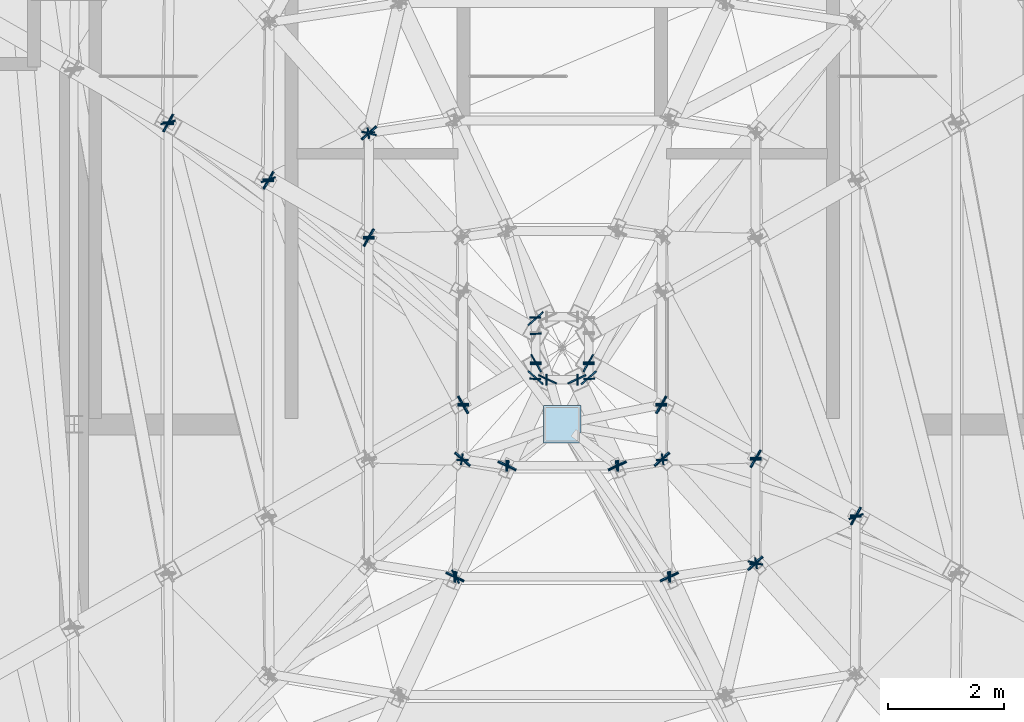
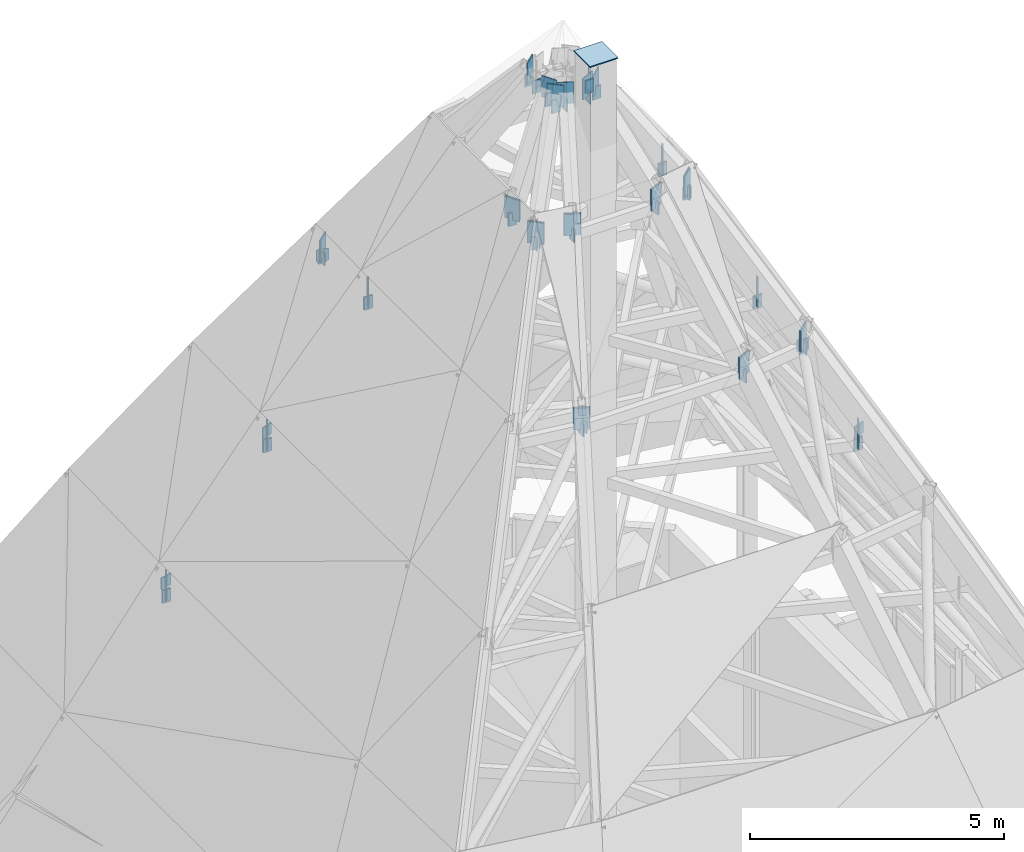
# One storey, part 21 of 30: 84 plates.
"""IFC4 building model written with IfcOpenShell, lengths in metres."""

from ifc_helpers import new_model, si_unit, direction, frame, origin, origin_2d, place, context, subcontext, project, spatial, rectangle, extrude, material, layer, layer_set, type_object, element, save


model = new_model("IFC4")

# Units and contexts
model_context = context("Model", 3, precision=1e-05, world=origin(), true_north=direction((0.0, 1.0)))
body_context = subcontext(model_context, "Body", "Model", "MODEL_VIEW")
ifc_project = project(units=[si_unit("LENGTHUNIT", "METRE"), si_unit("AREAUNIT", "SQUARE_METRE"), si_unit("VOLUMEUNIT", "CUBIC_METRE"), si_unit("PLANEANGLEUNIT", "RADIAN"), si_unit("MASSUNIT", "GRAM", prefix="KILO")], contexts=[model_context])

# Site, building, storey
site_placement = place(None, origin())
site = spatial("IfcSite", under=ifc_project, at=site_placement, CompositionType="ELEMENT")
building_placement = place(site_placement, origin())
building = spatial("IfcBuilding", under=site, at=building_placement, Name="Haolan Belvedere Tower", CompositionType="ELEMENT")
storey_placement = place(building_placement, frame((0.0, 0.0, 333.0)))
storey = spatial("IfcBuildingStorey", under=building, at=storey_placement, Name="L83", CompositionType="ELEMENT", Elevation=333.0)

# Plates
ifc_material = material(Name="Steel Q355B", Category="steel")
ifc_layer = layer(ifc_material, 0.02490234375, Name="Steel Q355B")
ifc_layer_set = layer_set([ifc_layer], Name="Steel Q355B")
plate_type = type_object("IfcPlateType", Name="PL-CAP-25", PredefinedType="SHEET", material=ifc_layer_set)
plate_1_placement = place(storey_placement, frame((38.39990234375, 35.2900390625, 24.949951171875), z_axis=(0.0, 0.0, 1.0), x_axis=(1.0, 0.0, 0.0)))
element("IfcPlate", 1, at=plate_1_placement, inside=storey, type_object=plate_type, Name="Hollow steel end-cap plate COL-CRN-MAST-TCAP", PredefinedType="SHEET", context=body_context, shape_type="SweptSolid", body=[
    extrude(rectangle(XDim=0.639892578125, YDim=0.639892578125, at=origin_2d()), origin(), (0.0, 0.0, 1.0), 0.02490234375),
])
plate_2_placement = place(storey_placement, frame((31.619384765625, 40.4619140625, 11.035400390625), z_axis=(0.0, 0.0, 1.0), x_axis=(0.999939932483, -0.010960448242, 0.0)))
element("IfcPlate", 2, at=plate_2_placement, inside=storey, type_object=plate_type, Name="Hollow steel end-cap plate CRN-RING-T2-10-CAP1", PredefinedType="SHEET", context=body_context, shape_type="SweptSolid", body=[
    extrude(rectangle(XDim=0.18994140625, YDim=0.02490234375, at=origin_2d()), origin(), (0.0, 0.0, 1.0), 0.31005859375),
])
plate_3_placement = place(storey_placement, frame((31.62451171875, 40.4716796875, 11.1865234375), z_axis=(0.0, 0.0, 1.0), x_axis=(0.496140737146, 0.868242114242, 0.0)))
element("IfcPlate", 3, at=plate_3_placement, inside=storey, type_object=plate_type, Name="Hollow steel end-cap plate CRN-RAF-T2-11-CAP1", PredefinedType="SHEET", context=body_context, shape_type="SweptSolid", body=[
    extrude(rectangle(XDim=0.340087890625, YDim=0.02490234375, at=origin_2d()), origin(), (0.0, 0.0, 1.0), 0.510009765625),
])
for number, where, z_axis, x_axis, name in (
    (4, (31.61962890625, 40.487060546875, 11.035400390625), (0.0, 0.0, 1.0), (-1.0, 0.0, 0.0), "Hollow steel end-cap plate CRN-RING-T2-11-CAP0"),
    (5, (43.455078125, 33.72412109375, 14.64697265625), (0.0, 0.0, 1.0), (-0.99996461524, 0.00841238777, 0.0), "Hollow steel end-cap plate CRN-RING-T3-04-CAP1"),
):
    element("IfcPlate", number, at=place(storey_placement, frame(where, z_axis=z_axis, x_axis=x_axis)), inside=storey, type_object=plate_type, Name=name, PredefinedType="SHEET", context=body_context, shape_type="SweptSolid", body=[
        extrude(rectangle(XDim=0.18994140625, YDim=0.02490234375, at=origin_2d()), origin(), (0.0, 0.0, 1.0), 0.31005859375),
    ])
plate_4_placement = place(storey_placement, frame((43.44970703125, 33.714599609375, 14.7978515625), z_axis=(0.0, 0.0, 1.0), x_axis=(-0.496140737146, -0.868242114242, 0.0)))
element("IfcPlate", 6, at=plate_4_placement, inside=storey, type_object=plate_type, Name="Hollow steel end-cap plate CRN-RAF-T3-05-CAP1", PredefinedType="SHEET", context=body_context, shape_type="SweptSolid", body=[
    extrude(rectangle(XDim=0.340087890625, YDim=0.02490234375, at=origin_2d()), origin(), (0.0, 0.0, 1.0), 0.510009765625),
])
for number, where, z_axis, x_axis, name in (
    (7, (43.454833984375, 33.698974609375, 14.64697265625), (0.0, 0.0, 1.0), (1.0, 0.0, 0.0), "Hollow steel end-cap plate CRN-RING-T3-05-CAP0"),
    (8, (33.344970703125, 39.47607421875, 14.64697265625), (0.0, 0.0, 1.0), (0.99996461524, -0.00841238777, 0.0), "Hollow steel end-cap plate CRN-RING-T3-10-CAP1"),
):
    element("IfcPlate", number, at=place(storey_placement, frame(where, z_axis=z_axis, x_axis=x_axis)), inside=storey, type_object=plate_type, Name=name, PredefinedType="SHEET", context=body_context, shape_type="SweptSolid", body=[
        extrude(rectangle(XDim=0.18994140625, YDim=0.02490234375, at=origin_2d()), origin(), (0.0, 0.0, 1.0), 0.31005859375),
    ])
for number, where, z_axis, x_axis, name in (
    (9, (31.6142578125, 40.4775390625, 11.16455078125), (0.0, 0.0, 1.0), (-0.496140737146, -0.868242114242, 0.0), "Hollow steel end-cap plate CRN-RAF-T3-11-CAP0"),
    (10, (33.350341796875, 39.485595703125, 14.7978515625), (0.0, 0.0, 1.0), (0.496140737146, 0.868242114242, 0.0), "Hollow steel end-cap plate CRN-RAF-T3-11-CAP1"),
):
    element("IfcPlate", number, at=place(storey_placement, frame(where, z_axis=z_axis, x_axis=x_axis)), inside=storey, type_object=plate_type, Name=name, PredefinedType="SHEET", context=body_context, shape_type="SweptSolid", body=[
        extrude(rectangle(XDim=0.340087890625, YDim=0.02490234375, at=origin_2d()), origin(), (0.0, 0.0, 1.0), 0.510009765625),
    ])
plate_5_placement = place(storey_placement, frame((33.34521484375, 39.5009765625, 14.64697265625), z_axis=(0.0, 0.0, 1.0), x_axis=(-1.0, 0.0, 0.0)))
element("IfcPlate", 11, at=plate_5_placement, inside=storey, type_object=plate_type, Name="Hollow steel end-cap plate CRN-RING-T3-11-CAP0", PredefinedType="SHEET", context=body_context, shape_type="SweptSolid", body=[
    extrude(rectangle(XDim=0.18994140625, YDim=0.02490234375, at=origin_2d()), origin(), (0.0, 0.0, 1.0), 0.31005859375),
])
plate_6_placement = place(storey_placement, frame((31.61669921875, 40.4853515625, 11.3857421875), z_axis=(0.0, 0.0, 1.0), x_axis=(-0.968959664166, -0.247218869058, 0.0)))
element("IfcPlate", 12, at=plate_6_placement, inside=storey, type_object=plate_type, Name="Hollow steel end-cap plate CRN-DIAG-T3-11-CAP0", PredefinedType="SHEET", context=body_context, shape_type="SweptSolid", body=[
    extrude(rectangle(XDim=0.259033203125, YDim=0.02490234375, at=origin_2d()), origin(), (0.0, 0.0, 1.0), 0.279052734375),
])
plate_7_placement = place(storey_placement, frame((36.56787109375, 32.661865234375, 18.06884765625), z_axis=(0.0, 0.0, 1.0), x_axis=(0.155244901357, 0.987876014793, 0.0)))
element("IfcPlate", 13, at=plate_7_placement, inside=storey, type_object=plate_type, Name="Hollow steel end-cap plate CRN-RING-T4-01-CAP1", PredefinedType="SHEET", context=body_context, shape_type="SweptSolid", body=[
    extrude(rectangle(XDim=0.18994140625, YDim=0.02490234375, at=origin_2d()), origin(), (0.0, 0.0, 1.0), 0.31005859375),
])
plate_8_placement = place(storey_placement, frame((36.563720703125, 32.668212890625, 18.13232421875), z_axis=(0.0, 0.0, 1.0), x_axis=(-0.464440218995, 0.885604473216, 0.0)))
element("IfcPlate", 14, at=plate_8_placement, inside=storey, type_object=plate_type, Name="Hollow steel end-cap plate CRN-DIAG-T4-01-CAP1", PredefinedType="SHEET", context=body_context, shape_type="SweptSolid", body=[
    extrude(rectangle(XDim=0.259033203125, YDim=0.02490234375, at=origin_2d()), origin(), (0.0, 0.0, 1.0), 0.279052734375),
])
plate_9_placement = place(storey_placement, frame((36.558349609375, 32.669921875, 18.21923828125), z_axis=(0.0, 0.0, 1.0), x_axis=(-0.90550215475, 0.424341663926, 0.0)))
element("IfcPlate", 15, at=plate_9_placement, inside=storey, type_object=plate_type, Name="Hollow steel end-cap plate CRN-RAF-T4-02-CAP1", PredefinedType="SHEET", context=body_context, shape_type="SweptSolid", body=[
    extrude(rectangle(XDim=0.340087890625, YDim=0.02490234375, at=origin_2d()), origin(), (0.0, 0.0, 1.0), 0.510009765625),
])
for number, where, z_axis, x_axis, name in (
    (16, (36.54296875, 32.663818359375, 18.06884765625), (0.0, 0.0, 1.0), (0.0, -1.0, 0.0), "Hollow steel end-cap plate CRN-RING-T4-02-CAP0"),
    (17, (40.257080078125, 32.663818359375, 18.06884765625), (0.0, 0.0, 1.0), (0.0, 1.0, 0.0), "Hollow steel end-cap plate CRN-RING-T4-02-CAP1"),
):
    element("IfcPlate", number, at=place(storey_placement, frame(where, z_axis=z_axis, x_axis=x_axis)), inside=storey, type_object=plate_type, Name=name, PredefinedType="SHEET", context=body_context, shape_type="SweptSolid", body=[
        extrude(rectangle(XDim=0.18994140625, YDim=0.02490234375, at=origin_2d()), origin(), (0.0, 0.0, 1.0), 0.31005859375),
    ])
plate_10_placement = place(storey_placement, frame((40.24169921875, 32.669921875, 18.21923828125), z_axis=(0.0, 0.0, 1.0), x_axis=(-0.90550215475, -0.424341663926, 0.0)))
element("IfcPlate", 18, at=plate_10_placement, inside=storey, type_object=plate_type, Name="Hollow steel end-cap plate CRN-RAF-T4-03-CAP1", PredefinedType="SHEET", context=body_context, shape_type="SweptSolid", body=[
    extrude(rectangle(XDim=0.340087890625, YDim=0.02490234375, at=origin_2d()), origin(), (0.0, 0.0, 1.0), 0.510009765625),
])
for number, where, z_axis, x_axis, name in (
    (19, (40.232177734375, 32.661865234375, 18.06884765625), (0.0, 0.0, 1.0), (0.155244901357, -0.987876014793, 0.0), "Hollow steel end-cap plate CRN-RING-T4-03-CAP0"),
    (20, (41.73583984375, 32.898193359375, 18.06884765625), (0.0, 0.0, 1.0), (-0.155244901357, 0.987876014793, 0.0), "Hollow steel end-cap plate CRN-RING-T4-03-CAP1"),
):
    element("IfcPlate", number, at=place(storey_placement, frame(where, z_axis=z_axis, x_axis=x_axis)), inside=storey, type_object=plate_type, Name=name, PredefinedType="SHEET", context=body_context, shape_type="SweptSolid", body=[
        extrude(rectangle(XDim=0.18994140625, YDim=0.02490234375, at=origin_2d()), origin(), (0.0, 0.0, 1.0), 0.31005859375),
    ])
plate_11_placement = place(storey_placement, frame((41.72509765625, 32.903564453125, 18.13427734375), z_axis=(0.0, 0.0, 1.0), x_axis=(-0.973968055063, 0.226685305474, 0.0)))
element("IfcPlate", 21, at=plate_11_placement, inside=storey, type_object=plate_type, Name="Hollow steel end-cap plate CRN-DIAG-T4-03-CAP1", PredefinedType="SHEET", context=body_context, shape_type="SweptSolid", body=[
    extrude(rectangle(XDim=0.259033203125, YDim=0.02490234375, at=origin_2d()), origin(), (0.0, 0.0, 1.0), 0.279052734375),
])
plate_12_placement = place(storey_placement, frame((41.718505859375, 32.90185546875, 18.21875), z_axis=(0.0, 0.0, 1.0), x_axis=(-0.744288234024, -0.667858536438, 0.0)))
element("IfcPlate", 22, at=plate_12_placement, inside=storey, type_object=plate_type, Name="Hollow steel end-cap plate CRN-RAF-T4-04-CAP1", PredefinedType="SHEET", context=body_context, shape_type="SweptSolid", body=[
    extrude(rectangle(XDim=0.340087890625, YDim=0.02490234375, at=origin_2d()), origin(), (0.0, 0.0, 1.0), 0.510009765625),
])
for number, where, z_axis, x_axis, name in (
    (23, (41.723388671875, 32.8837890625, 18.06884765625), (0.0, 0.0, 1.0), (0.999994616806, -0.003281213106, 0.0), "Hollow steel end-cap plate CRN-RING-T4-04-CAP0"),
    (24, (41.7294921875, 34.7099609375, 18.06884765625), (0.0, 0.0, 1.0), (-0.999994616806, 0.003281213106, 0.0), "Hollow steel end-cap plate CRN-RING-T4-04-CAP1"),
):
    element("IfcPlate", number, at=place(storey_placement, frame(where, z_axis=z_axis, x_axis=x_axis)), inside=storey, type_object=plate_type, Name=name, PredefinedType="SHEET", context=body_context, shape_type="SweptSolid", body=[
        extrude(rectangle(XDim=0.18994140625, YDim=0.02490234375, at=origin_2d()), origin(), (0.0, 0.0, 1.0), 0.31005859375),
    ])
for number, where, z_axis, x_axis, name in (
    (25, (43.46044921875, 33.70849609375, 14.7763671875), (0.0, 0.0, 1.0), (0.496140737146, 0.868242114242, 0.0), "Hollow steel end-cap plate CRN-RAF-T4-05-CAP0"),
    (26, (41.723876953125, 34.70068359375, 18.2197265625), (0.0, 0.0, 1.0), (-0.496140737146, -0.868242114242, 0.0), "Hollow steel end-cap plate CRN-RAF-T4-05-CAP1"),
):
    element("IfcPlate", number, at=place(storey_placement, frame(where, z_axis=z_axis, x_axis=x_axis)), inside=storey, type_object=plate_type, Name=name, PredefinedType="SHEET", context=body_context, shape_type="SweptSolid", body=[
        extrude(rectangle(XDim=0.340087890625, YDim=0.02490234375, at=origin_2d()), origin(), (0.0, 0.0, 1.0), 0.510009765625),
    ])
plate_13_placement = place(storey_placement, frame((41.7294921875, 34.68505859375, 18.06884765625), z_axis=(0.0, 0.0, 1.0), x_axis=(1.0, 0.0, 0.0)))
element("IfcPlate", 27, at=plate_13_placement, inside=storey, type_object=plate_type, Name="Hollow steel end-cap plate CRN-RING-T4-05-CAP0", PredefinedType="SHEET", context=body_context, shape_type="SweptSolid", body=[
    extrude(rectangle(XDim=0.18994140625, YDim=0.02490234375, at=origin_2d()), origin(), (0.0, 0.0, 1.0), 0.31005859375),
])
plate_14_placement = place(storey_placement, frame((43.45849609375, 33.701416015625, 14.99609375), z_axis=(0.0, 0.0, 1.0), x_axis=(0.940839377288, 0.338852867988, 0.0)))
element("IfcPlate", 28, at=plate_14_placement, inside=storey, type_object=plate_type, Name="Hollow steel end-cap plate CRN-DIAG-T4-05-CAP0", PredefinedType="SHEET", context=body_context, shape_type="SweptSolid", body=[
    extrude(rectangle(XDim=0.259033203125, YDim=0.02490234375, at=origin_2d()), origin(), (0.0, 0.0, 1.0), 0.279052734375),
])
plate_15_placement = place(storey_placement, frame((35.064208984375, 40.302001953125, 18.06884765625), z_axis=(0.0, 0.0, 1.0), x_axis=(0.144166223028, -0.989553485234, 0.0)))
element("IfcPlate", 29, at=plate_15_placement, inside=storey, type_object=plate_type, Name="Hollow steel end-cap plate CRN-RING-T4-09-CAP1", PredefinedType="SHEET", context=body_context, shape_type="SweptSolid", body=[
    extrude(rectangle(XDim=0.18994140625, YDim=0.02490234375, at=origin_2d()), origin(), (0.0, 0.0, 1.0), 0.31005859375),
])
plate_16_placement = place(storey_placement, frame((35.07470703125, 40.296630859375, 18.13427734375), z_axis=(0.0, 0.0, 1.0), x_axis=(0.97337925846, -0.229200390922, 0.0)))
element("IfcPlate", 30, at=plate_16_placement, inside=storey, type_object=plate_type, Name="Hollow steel end-cap plate CRN-DIAG-T4-09-CAP1", PredefinedType="SHEET", context=body_context, shape_type="SweptSolid", body=[
    extrude(rectangle(XDim=0.259033203125, YDim=0.02490234375, at=origin_2d()), origin(), (0.0, 0.0, 1.0), 0.279052734375),
])
plate_17_placement = place(storey_placement, frame((35.08154296875, 40.29833984375, 18.21875), z_axis=(0.0, 0.0, 1.0), x_axis=(0.744288234024, 0.667858536438, 0.0)))
element("IfcPlate", 31, at=plate_17_placement, inside=storey, type_object=plate_type, Name="Hollow steel end-cap plate CRN-RAF-T4-10-CAP1", PredefinedType="SHEET", context=body_context, shape_type="SweptSolid", body=[
    extrude(rectangle(XDim=0.340087890625, YDim=0.02490234375, at=origin_2d()), origin(), (0.0, 0.0, 1.0), 0.510009765625),
])
for number, where, z_axis, x_axis, name in (
    (32, (35.07666015625, 40.31640625, 18.06884765625), (0.0, 0.0, 1.0), (-0.999994616806, 0.003281213106, 0.0), "Hollow steel end-cap plate CRN-RING-T4-10-CAP0"),
    (33, (35.070556640625, 38.489990234375, 18.06884765625), (0.0, 0.0, 1.0), (0.999994616806, -0.003281213106, 0.0), "Hollow steel end-cap plate CRN-RING-T4-10-CAP1"),
):
    element("IfcPlate", number, at=place(storey_placement, frame(where, z_axis=z_axis, x_axis=x_axis)), inside=storey, type_object=plate_type, Name=name, PredefinedType="SHEET", context=body_context, shape_type="SweptSolid", body=[
        extrude(rectangle(XDim=0.18994140625, YDim=0.02490234375, at=origin_2d()), origin(), (0.0, 0.0, 1.0), 0.31005859375),
    ])
for number, where, z_axis, x_axis, name in (
    (34, (33.339599609375, 39.49169921875, 14.7763671875), (0.0, 0.0, 1.0), (-0.496140737146, -0.868242114242, 0.0), "Hollow steel end-cap plate CRN-RAF-T4-11-CAP0"),
    (35, (35.076171875, 38.49951171875, 18.2197265625), (0.0, 0.0, 1.0), (0.496140737146, 0.868242114242, 0.0), "Hollow steel end-cap plate CRN-RAF-T4-11-CAP1"),
):
    element("IfcPlate", number, at=place(storey_placement, frame(where, z_axis=z_axis, x_axis=x_axis)), inside=storey, type_object=plate_type, Name=name, PredefinedType="SHEET", context=body_context, shape_type="SweptSolid", body=[
        extrude(rectangle(XDim=0.340087890625, YDim=0.02490234375, at=origin_2d()), origin(), (0.0, 0.0, 1.0), 0.510009765625),
    ])
plate_18_placement = place(storey_placement, frame((35.070556640625, 38.514892578125, 18.06884765625), z_axis=(0.0, 0.0, 1.0), x_axis=(-1.0, 0.0, 0.0)))
element("IfcPlate", 36, at=plate_18_placement, inside=storey, type_object=plate_type, Name="Hollow steel end-cap plate CRN-RING-T4-11-CAP0", PredefinedType="SHEET", context=body_context, shape_type="SweptSolid", body=[
    extrude(rectangle(XDim=0.18994140625, YDim=0.02490234375, at=origin_2d()), origin(), (0.0, 0.0, 1.0), 0.31005859375),
])
plate_19_placement = place(storey_placement, frame((33.341552734375, 39.49853515625, 14.99609375), z_axis=(0.0, 0.0, 1.0), x_axis=(-0.940839377288, -0.338852867988, 0.0)))
element("IfcPlate", 37, at=plate_19_placement, inside=storey, type_object=plate_type, Name="Hollow steel end-cap plate CRN-DIAG-T4-11-CAP0", PredefinedType="SHEET", context=body_context, shape_type="SweptSolid", body=[
    extrude(rectangle(XDim=0.259033203125, YDim=0.02490234375, at=origin_2d()), origin(), (0.0, 0.0, 1.0), 0.279052734375),
])
plate_20_placement = place(storey_placement, frame((36.689453125, 34.69384765625, 21.4130859375), z_axis=(0.0, 0.0, 1.0), x_axis=(-0.744288234024, 0.667858536438, 0.0)))
element("IfcPlate", 38, at=plate_20_placement, inside=storey, type_object=plate_type, Name="Hollow steel end-cap plate CRN-RAF-T5-01-CAP1", PredefinedType="SHEET", context=body_context, shape_type="SweptSolid", body=[
    extrude(rectangle(XDim=0.340087890625, YDim=0.02490234375, at=origin_2d()), origin(), (0.0, 0.0, 1.0), 0.510009765625),
])
for number, where, z_axis, x_axis, name in (
    (39, (36.672119140625, 34.68994140625, 21.262939453125), (0.0, 0.0, 1.0), (-0.14501244756, -0.989429830788, 0.0), "Hollow steel end-cap plate CRN-RING-T5-01-CAP0"),
    (40, (37.4638671875, 34.573974609375, 21.262939453125), (0.0, 0.0, 1.0), (0.14501244756, 0.989429830788, 0.0), "Hollow steel end-cap plate CRN-RING-T5-01-CAP1"),
):
    element("IfcPlate", number, at=place(storey_placement, frame(where, z_axis=z_axis, x_axis=x_axis)), inside=storey, type_object=plate_type, Name=name, PredefinedType="SHEET", context=body_context, shape_type="SweptSolid", body=[
        extrude(rectangle(XDim=0.18994140625, YDim=0.02490234375, at=origin_2d()), origin(), (0.0, 0.0, 1.0), 0.31005859375),
    ])
for number, where, z_axis, x_axis, name in (
    (41, (36.552490234375, 32.657470703125, 18.1982421875), (0.0, 0.0, 1.0), (0.90550215475, -0.424341663926, 0.0), "Hollow steel end-cap plate CRN-RAF-T5-02-CAP0"),
    (42, (37.454345703125, 34.58203125, 21.41357421875), (0.0, 0.0, 1.0), (-0.90550215475, 0.424341663926, 0.0), "Hollow steel end-cap plate CRN-RAF-T5-02-CAP1"),
):
    element("IfcPlate", number, at=place(storey_placement, frame(where, z_axis=z_axis, x_axis=x_axis)), inside=storey, type_object=plate_type, Name=name, PredefinedType="SHEET", context=body_context, shape_type="SweptSolid", body=[
        extrude(rectangle(XDim=0.340087890625, YDim=0.02490234375, at=origin_2d()), origin(), (0.0, 0.0, 1.0), 0.510009765625),
    ])
for number, where, z_axis, x_axis, name in (
    (43, (37.43896484375, 34.57568359375, 21.262939453125), (0.0, 0.0, 1.0), (0.0, -1.0, 0.0), "Hollow steel end-cap plate CRN-RING-T5-02-CAP0"),
    (44, (39.361083984375, 34.57568359375, 21.262939453125), (0.0, 0.0, 1.0), (0.0, 1.0, 0.0), "Hollow steel end-cap plate CRN-RING-T5-02-CAP1"),
):
    element("IfcPlate", number, at=place(storey_placement, frame(where, z_axis=z_axis, x_axis=x_axis)), inside=storey, type_object=plate_type, Name=name, PredefinedType="SHEET", context=body_context, shape_type="SweptSolid", body=[
        extrude(rectangle(XDim=0.18994140625, YDim=0.02490234375, at=origin_2d()), origin(), (0.0, 0.0, 1.0), 0.31005859375),
    ])
for number, where, z_axis, x_axis, name in (
    (45, (40.24755859375, 32.657470703125, 18.1982421875), (0.0, 0.0, 1.0), (0.90550215475, 0.424341663926, 0.0), "Hollow steel end-cap plate CRN-RAF-T5-03-CAP0"),
    (46, (39.345703125, 34.58203125, 21.41357421875), (0.0, 0.0, 1.0), (-0.90550215475, -0.424341663926, 0.0), "Hollow steel end-cap plate CRN-RAF-T5-03-CAP1"),
):
    element("IfcPlate", number, at=place(storey_placement, frame(where, z_axis=z_axis, x_axis=x_axis)), inside=storey, type_object=plate_type, Name=name, PredefinedType="SHEET", context=body_context, shape_type="SweptSolid", body=[
        extrude(rectangle(XDim=0.340087890625, YDim=0.02490234375, at=origin_2d()), origin(), (0.0, 0.0, 1.0), 0.510009765625),
    ])
for number, where, z_axis, x_axis, name in (
    (47, (39.336181640625, 34.573974609375, 21.262939453125), (0.0, 0.0, 1.0), (0.14501244756, -0.989429830788, 0.0), "Hollow steel end-cap plate CRN-RING-T5-03-CAP0"),
    (48, (40.1279296875, 34.68994140625, 21.262939453125), (0.0, 0.0, 1.0), (-0.14501244756, 0.989429830788, 0.0), "Hollow steel end-cap plate CRN-RING-T5-03-CAP1"),
):
    element("IfcPlate", number, at=place(storey_placement, frame(where, z_axis=z_axis, x_axis=x_axis)), inside=storey, type_object=plate_type, Name=name, PredefinedType="SHEET", context=body_context, shape_type="SweptSolid", body=[
        extrude(rectangle(XDim=0.18994140625, YDim=0.02490234375, at=origin_2d()), origin(), (0.0, 0.0, 1.0), 0.31005859375),
    ])
for number, where, z_axis, x_axis, name in (
    (49, (41.728515625, 32.890625, 18.19873046875), (0.0, 0.0, 1.0), (0.744288234024, 0.667858536438, 0.0), "Hollow steel end-cap plate CRN-RAF-T5-04-CAP0"),
    (50, (40.1103515625, 34.69384765625, 21.4130859375), (0.0, 0.0, 1.0), (-0.744288234024, -0.667858536438, 0.0), "Hollow steel end-cap plate CRN-RAF-T5-04-CAP1"),
):
    element("IfcPlate", number, at=place(storey_placement, frame(where, z_axis=z_axis, x_axis=x_axis)), inside=storey, type_object=plate_type, Name=name, PredefinedType="SHEET", context=body_context, shape_type="SweptSolid", body=[
        extrude(rectangle(XDim=0.340087890625, YDim=0.02490234375, at=origin_2d()), origin(), (0.0, 0.0, 1.0), 0.510009765625),
    ])
for number, where, z_axis, x_axis, name in (
    (51, (40.11572265625, 34.67578125, 21.262939453125), (0.0, 0.0, 1.0), (0.99994201831, 0.010768473355, 0.0), "Hollow steel end-cap plate CRN-RING-T5-04-CAP0"),
    (52, (40.105224609375, 35.637939453125, 21.262939453125), (0.0, 0.0, 1.0), (-0.99994201831, -0.010768473355, 0.0), "Hollow steel end-cap plate CRN-RING-T5-04-CAP1"),
):
    element("IfcPlate", number, at=place(storey_placement, frame(where, z_axis=z_axis, x_axis=x_axis)), inside=storey, type_object=plate_type, Name=name, PredefinedType="SHEET", context=body_context, shape_type="SweptSolid", body=[
        extrude(rectangle(XDim=0.18994140625, YDim=0.02490234375, at=origin_2d()), origin(), (0.0, 0.0, 1.0), 0.31005859375),
    ])
for number, where, z_axis, x_axis, name in (
    (53, (41.73486328125, 34.6943359375, 18.1982421875), (0.0, 0.0, 1.0), (0.496140737146, 0.868242114242, 0.0), "Hollow steel end-cap plate CRN-RAF-T5-05-CAP0"),
    (54, (40.099853515625, 35.628662109375, 21.41357421875), (0.0, 0.0, 1.0), (-0.496140737146, -0.868242114242, 0.0), "Hollow steel end-cap plate CRN-RAF-T5-05-CAP1"),
):
    element("IfcPlate", number, at=place(storey_placement, frame(where, z_axis=z_axis, x_axis=x_axis)), inside=storey, type_object=plate_type, Name=name, PredefinedType="SHEET", context=body_context, shape_type="SweptSolid", body=[
        extrude(rectangle(XDim=0.340087890625, YDim=0.02490234375, at=origin_2d()), origin(), (0.0, 0.0, 1.0), 0.510009765625),
    ])
plate_21_placement = place(storey_placement, frame((40.10546875, 35.613037109375, 21.262939453125), z_axis=(0.0, 0.0, 1.0), x_axis=(1.0, 0.0, 0.0)))
element("IfcPlate", 55, at=plate_21_placement, inside=storey, type_object=plate_type, Name="Hollow steel end-cap plate CRN-RING-T5-05-CAP0", PredefinedType="SHEET", context=body_context, shape_type="SweptSolid", body=[
    extrude(rectangle(XDim=0.18994140625, YDim=0.02490234375, at=origin_2d()), origin(), (0.0, 0.0, 1.0), 0.31005859375),
])
for number, where, z_axis, x_axis, name in (
    (56, (35.071533203125, 40.309326171875, 18.19873046875), (0.0, 0.0, 1.0), (-0.744288234024, -0.667858536438, 0.0), "Hollow steel end-cap plate CRN-RAF-T5-10-CAP0"),
    (57, (35.065185546875, 38.505615234375, 18.1982421875), (0.0, 0.0, 1.0), (-0.496140737146, -0.868242114242, 0.0), "Hollow steel end-cap plate CRN-RAF-T5-11-CAP0"),
):
    element("IfcPlate", number, at=place(storey_placement, frame(where, z_axis=z_axis, x_axis=x_axis)), inside=storey, type_object=plate_type, Name=name, PredefinedType="SHEET", context=body_context, shape_type="SweptSolid", body=[
        extrude(rectangle(XDim=0.340087890625, YDim=0.02490234375, at=origin_2d()), origin(), (0.0, 0.0, 1.0), 0.510009765625),
    ])
plate_22_placement = place(storey_placement, frame((36.694580078125, 35.613037109375, 21.262939453125), z_axis=(0.0, 0.0, 1.0), x_axis=(1.0, 0.0, 0.0)))
element("IfcPlate", 58, at=plate_22_placement, inside=storey, type_object=plate_type, Name="Hollow steel end-cap plate CRN-RING-T5-11-CAP1", PredefinedType="SHEET", context=body_context, shape_type="SweptSolid", body=[
    extrude(rectangle(XDim=0.18994140625, YDim=0.02490234375, at=origin_2d()), origin(), (0.0, 0.0, 1.0), 0.31005859375),
])
plate_23_placement = place(storey_placement, frame((36.7001953125, 35.628662109375, 21.41357421875), z_axis=(0.0, 0.0, 1.0), x_axis=(-0.496140737146, 0.868242114242, 0.0)))
element("IfcPlate", 59, at=plate_23_placement, inside=storey, type_object=plate_type, Name="Hollow steel end-cap plate CRN-RAF-T5-12-CAP1", PredefinedType="SHEET", context=body_context, shape_type="SweptSolid", body=[
    extrude(rectangle(XDim=0.340087890625, YDim=0.02490234375, at=origin_2d()), origin(), (0.0, 0.0, 1.0), 0.510009765625),
])
for number, where, z_axis, x_axis, name in (
    (60, (36.69482421875, 35.637939453125, 21.262939453125), (0.0, 0.0, 1.0), (-0.99994201831, 0.010768473355, 0.0), "Hollow steel end-cap plate CRN-RING-T5-12-CAP0"),
    (61, (36.684326171875, 34.67578125, 21.262939453125), (0.0, 0.0, 1.0), (0.99994201831, -0.010768473355, 0.0), "Hollow steel end-cap plate CRN-RING-T5-12-CAP1"),
):
    element("IfcPlate", number, at=place(storey_placement, frame(where, z_axis=z_axis, x_axis=x_axis)), inside=storey, type_object=plate_type, Name=name, PredefinedType="SHEET", context=body_context, shape_type="SweptSolid", body=[
        extrude(rectangle(XDim=0.18994140625, YDim=0.02490234375, at=origin_2d()), origin(), (0.0, 0.0, 1.0), 0.31005859375),
    ])
for number, where, z_axis, x_axis, name in (
    (62, (36.6787109375, 34.681884765625, 21.39404296875), (0.0, 0.0, 1.0), (0.744288234024, -0.667858536438, 0.0), "Hollow steel end-cap plate CRN-RAF-T6-01-CAP0"),
    (63, (37.943359375, 36.091064453125, 23.4111328125), (0.0, 0.0, 1.0), (-0.744288234024, 0.667858536438, 0.0), "Hollow steel end-cap plate CRN-RAF-T6-01-CAP1"),
    (64, (37.447998046875, 34.568603515625, 21.3935546875), (0.0, 0.0, 1.0), (0.90548734188, -0.424373271655, 0.0), "Hollow steel end-cap plate CRN-RAF-T6-02-CAP0"),
    (65, (38.14892578125, 36.06396484375, 23.41162109375), (0.0, 0.0, 1.0), (-0.90548734188, 0.424373271655, 0.0), "Hollow steel end-cap plate CRN-RAF-T6-02-CAP1"),
):
    element("IfcPlate", number, at=place(storey_placement, frame(where, z_axis=z_axis, x_axis=x_axis)), inside=storey, type_object=plate_type, Name=name, PredefinedType="SHEET", context=body_context, shape_type="SweptSolid", body=[
        extrude(rectangle(XDim=0.340087890625, YDim=0.02490234375, at=origin_2d()), origin(), (0.0, 0.0, 1.0), 0.510009765625),
    ])
for number, where, z_axis, x_axis, name in (
    (66, (38.133056640625, 36.056884765625, 23.26171875), (0.0, 0.0, 1.0), (0.0, -1.0, 0.0), "Hollow steel end-cap plate CRN-RING-T6-02-CAP0"),
    (67, (38.6669921875, 36.056884765625, 23.26171875), (0.0, 0.0, 1.0), (0.0, 1.0, 0.0), "Hollow steel end-cap plate CRN-RING-T6-02-CAP1"),
):
    element("IfcPlate", number, at=place(storey_placement, frame(where, z_axis=z_axis, x_axis=x_axis)), inside=storey, type_object=plate_type, Name=name, PredefinedType="SHEET", context=body_context, shape_type="SweptSolid", body=[
        extrude(rectangle(XDim=0.18994140625, YDim=0.02490234375, at=origin_2d()), origin(), (0.0, 0.0, 1.0), 0.31005859375),
    ])
for number, where, z_axis, x_axis, name in (
    (68, (39.35205078125, 34.568603515625, 21.3935546875), (0.0, 0.0, 1.0), (0.90548734188, 0.424373271655, 0.0), "Hollow steel end-cap plate CRN-RAF-T6-03-CAP0"),
    (69, (38.651123046875, 36.06396484375, 23.41162109375), (0.0, 0.0, 1.0), (-0.90548734188, -0.424373271655, 0.0), "Hollow steel end-cap plate CRN-RAF-T6-03-CAP1"),
    (70, (40.12109375, 34.681884765625, 21.39404296875), (0.0, 0.0, 1.0), (0.744288234024, 0.667858536438, 0.0), "Hollow steel end-cap plate CRN-RAF-T6-04-CAP0"),
    (71, (38.856689453125, 36.091064453125, 23.4111328125), (0.0, 0.0, 1.0), (-0.744288234024, -0.667858536438, 0.0), "Hollow steel end-cap plate CRN-RAF-T6-04-CAP1"),
):
    element("IfcPlate", number, at=place(storey_placement, frame(where, z_axis=z_axis, x_axis=x_axis)), inside=storey, type_object=plate_type, Name=name, PredefinedType="SHEET", context=body_context, shape_type="SweptSolid", body=[
        extrude(rectangle(XDim=0.340087890625, YDim=0.02490234375, at=origin_2d()), origin(), (0.0, 0.0, 1.0), 0.510009765625),
    ])
for number, where, z_axis, x_axis, name in (
    (72, (38.86279296875, 36.072265625, 23.26171875), (0.0, 0.0, 1.0), (0.999623640763, 0.027433133752, 0.0), "Hollow steel end-cap plate CRN-RING-T6-04-CAP0"),
    (73, (38.85498046875, 36.352294921875, 23.26171875), (0.0, 0.0, 1.0), (-0.999623640763, -0.027433133752, 0.0), "Hollow steel end-cap plate CRN-RING-T6-04-CAP1"),
):
    element("IfcPlate", number, at=place(storey_placement, frame(where, z_axis=z_axis, x_axis=x_axis)), inside=storey, type_object=plate_type, Name=name, PredefinedType="SHEET", context=body_context, shape_type="SweptSolid", body=[
        extrude(rectangle(XDim=0.18994140625, YDim=0.02490234375, at=origin_2d()), origin(), (0.0, 0.0, 1.0), 0.31005859375),
    ])
for number, where, z_axis, x_axis, name in (
    (74, (40.11181640625, 35.621826171875, 21.39306640625), (0.0, 0.0, 1.0), (0.496140737146, 0.868242114242, 0.0), "Hollow steel end-cap plate CRN-RAF-T6-05-CAP0"),
    (75, (38.84912109375, 36.343505859375, 23.412109375), (0.0, 0.0, 1.0), (-0.496140737146, -0.868242114242, 0.0), "Hollow steel end-cap plate CRN-RAF-T6-05-CAP1"),
):
    element("IfcPlate", number, at=place(storey_placement, frame(where, z_axis=z_axis, x_axis=x_axis)), inside=storey, type_object=plate_type, Name=name, PredefinedType="SHEET", context=body_context, shape_type="SweptSolid", body=[
        extrude(rectangle(XDim=0.340087890625, YDim=0.02490234375, at=origin_2d()), origin(), (0.0, 0.0, 1.0), 0.510009765625),
    ])
plate_24_placement = place(storey_placement, frame((38.85546875, 36.327392578125, 23.26171875), z_axis=(0.0, 0.0, 1.0), x_axis=(1.0, 0.0, 0.0)))
element("IfcPlate", 76, at=plate_24_placement, inside=storey, type_object=plate_type, Name="Hollow steel end-cap plate CRN-RING-T6-05-CAP0", PredefinedType="SHEET", context=body_context, shape_type="SweptSolid", body=[
    extrude(rectangle(XDim=0.18994140625, YDim=0.02490234375, at=origin_2d()), origin(), (0.0, 0.0, 1.0), 0.31005859375),
])
plate_25_placement = place(storey_placement, frame((37.943359375, 37.10888671875, 23.4111328125), z_axis=(0.0, 0.0, 1.0), x_axis=(0.744288234024, 0.667858536438, 0.0)))
element("IfcPlate", 77, at=plate_25_placement, inside=storey, type_object=plate_type, Name="Hollow steel end-cap plate CRN-RAF-T6-10-CAP1", PredefinedType="SHEET", context=body_context, shape_type="SweptSolid", body=[
    extrude(rectangle(XDim=0.340087890625, YDim=0.02490234375, at=origin_2d()), origin(), (0.0, 0.0, 1.0), 0.510009765625),
])
for number, where, z_axis, x_axis, name in (
    (78, (37.937255859375, 37.127685546875, 23.26171875), (0.0, 0.0, 1.0), (-0.999623640763, -0.027433133752, 0.0), "Hollow steel end-cap plate CRN-RING-T6-10-CAP0"),
    (79, (37.94482421875, 36.84765625, 23.26171875), (0.0, 0.0, 1.0), (0.999623640763, 0.027433133752, 0.0), "Hollow steel end-cap plate CRN-RING-T6-10-CAP1"),
    (80, (37.944580078125, 36.327392578125, 23.26171875), (0.0, 0.0, 1.0), (1.0, 0.0, 0.0), "Hollow steel end-cap plate CRN-RING-T6-11-CAP1"),
):
    element("IfcPlate", number, at=place(storey_placement, frame(where, z_axis=z_axis, x_axis=x_axis)), inside=storey, type_object=plate_type, Name=name, PredefinedType="SHEET", context=body_context, shape_type="SweptSolid", body=[
        extrude(rectangle(XDim=0.18994140625, YDim=0.02490234375, at=origin_2d()), origin(), (0.0, 0.0, 1.0), 0.31005859375),
    ])
for number, where, z_axis, x_axis, name in (
    (81, (36.688232421875, 35.621826171875, 21.39306640625), (0.0, 0.0, 1.0), (0.496140737146, -0.868242114242, 0.0), "Hollow steel end-cap plate CRN-RAF-T6-12-CAP0"),
    (82, (37.950927734375, 36.343505859375, 23.412109375), (0.0, 0.0, 1.0), (-0.496140737146, 0.868242114242, 0.0), "Hollow steel end-cap plate CRN-RAF-T6-12-CAP1"),
):
    element("IfcPlate", number, at=place(storey_placement, frame(where, z_axis=z_axis, x_axis=x_axis)), inside=storey, type_object=plate_type, Name=name, PredefinedType="SHEET", context=body_context, shape_type="SweptSolid", body=[
        extrude(rectangle(XDim=0.340087890625, YDim=0.02490234375, at=origin_2d()), origin(), (0.0, 0.0, 1.0), 0.510009765625),
    ])
for number, where, z_axis, x_axis, name in (
    (83, (37.94482421875, 36.352294921875, 23.26171875), (0.0, 0.0, 1.0), (-0.999623640763, 0.027433133752, 0.0), "Hollow steel end-cap plate CRN-RING-T6-12-CAP0"),
    (84, (37.937255859375, 36.072265625, 23.26171875), (0.0, 0.0, 1.0), (0.999623640763, -0.027433133752, 0.0), "Hollow steel end-cap plate CRN-RING-T6-12-CAP1"),
):
    element("IfcPlate", number, at=place(storey_placement, frame(where, z_axis=z_axis, x_axis=x_axis)), inside=storey, type_object=plate_type, Name=name, PredefinedType="SHEET", context=body_context, shape_type="SweptSolid", body=[
        extrude(rectangle(XDim=0.18994140625, YDim=0.02490234375, at=origin_2d()), origin(), (0.0, 0.0, 1.0), 0.31005859375),
    ])

save(model, "model.ifc")
